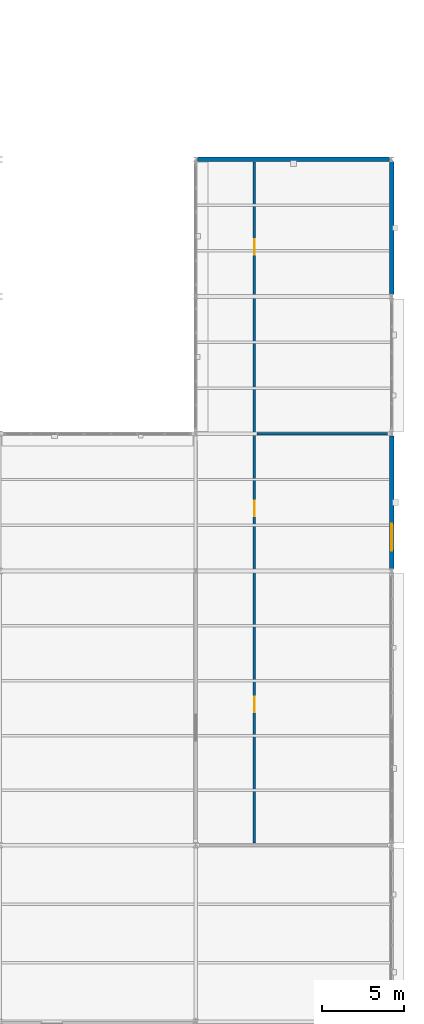
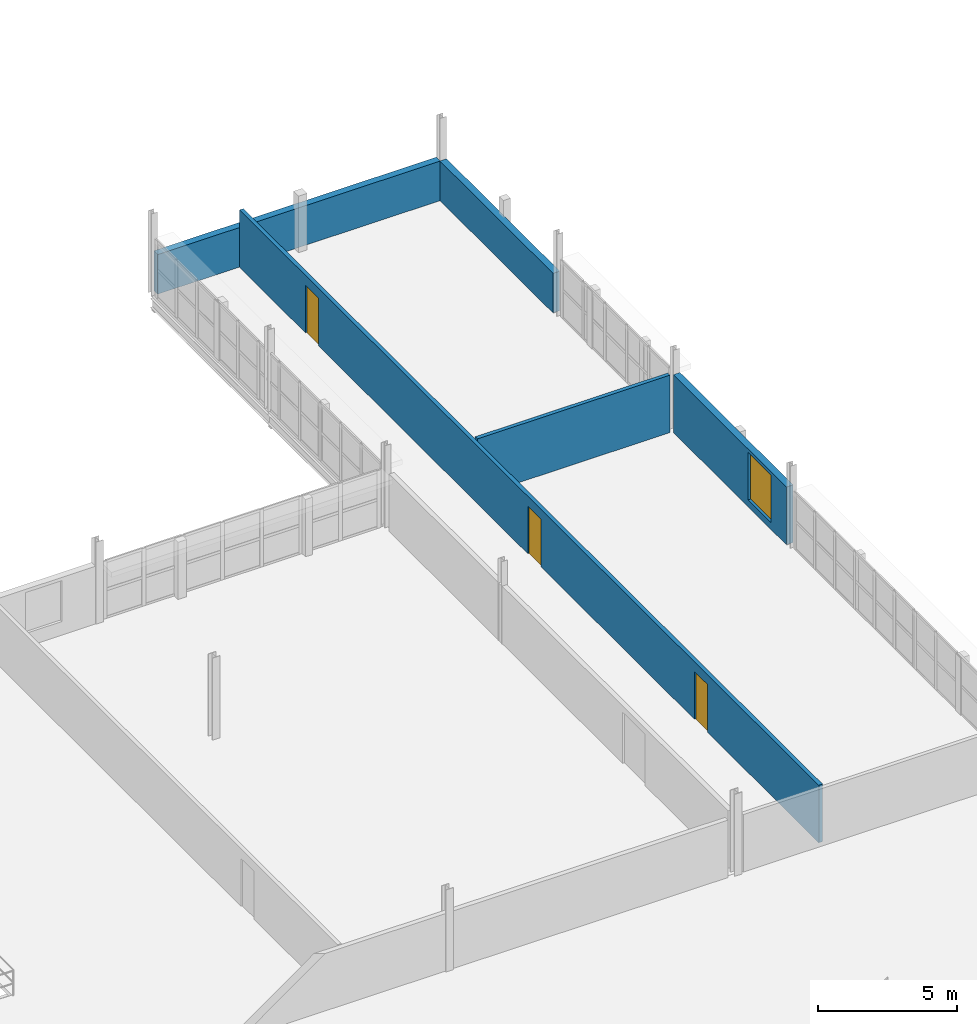
# One storey, part 67 of 79: 5 walls, 3 doors, 1 window, 4 openings.
"""IFC4 building model written with IfcOpenShell, lengths in metres."""

from ifc_helpers import new_model, si_unit, direction, frame, frame_2d, origin, place, context, subcontext, project, spatial, rectangle, extrude, material, layer, layer_set, type_object, element, fill, save


model = new_model("IFC4")

# Units and contexts
model_context = context("Model", 3, precision=1e-05, world=origin(), true_north=direction((0.0, 1.0)))
body_context = subcontext(model_context, "Body", "Model", "MODEL_VIEW")
ifc_project = project(units=[si_unit("LENGTHUNIT", "METRE"), si_unit("AREAUNIT", "SQUARE_METRE"), si_unit("VOLUMEUNIT", "CUBIC_METRE"), si_unit("PLANEANGLEUNIT", "RADIAN"), si_unit("MASSUNIT", "GRAM", prefix="KILO"), si_unit("THERMODYNAMICTEMPERATUREUNIT", "KELVIN"), si_unit("POWERUNIT", "WATT")], contexts=[model_context])

# Site, building, storey
site_placement = place(None, origin())
site = spatial("IfcSite", under=ifc_project, at=site_placement, CompositionType="ELEMENT")
building_placement = place(site_placement, origin())
building = spatial("IfcBuilding", under=site, at=building_placement, Name="Tembeka Court Mobility Hub", CompositionType="ELEMENT")
storey_placement = place(building_placement, frame((0.0, 0.0, 9.0)))
storey = spatial("IfcBuildingStorey", under=building, at=storey_placement, Name="L02", CompositionType="ELEMENT", Elevation=9.0)

# Wall, opening, window
ifc_material_1 = material(Name="Precast concrete C45/55", Category="concrete")
ifc_layer_1 = layer(ifc_material_1, 0.280029296875)
ifc_layer_set_1 = layer_set([ifc_layer_1], Name="Precast concrete C45/55")
wall_type_1 = type_object("IfcWallType", Name="WL-EW02", PredefinedType="STANDARD", material=ifc_layer_set_1)
wall_1_placement = place(storey_placement, frame((176.39990234375, 38.528076171875, 0.0), z_axis=(0.0, 0.0, 1.0), x_axis=(0.0, 1.0, 0.0)))
wall_1 = element("IfcWall", 1, at=wall_1_placement, inside=storey, type_object=wall_type_1, Name="External wall EW02 (EW-L02-0094)", PredefinedType="STANDARD", context=body_context, shape_type="SweptSolid", body=[
    extrude(rectangle(XDim=8.14404296875, YDim=0.280029296875, at=frame_2d((4.072021484375, 0.0))), origin(), (0.0, 0.0, 1.0), 2.534912109375),
])
opening_1_placement = place(wall_1_placement, frame((1.1201171875, 0.0, 0.294921875)))
opening_1 = element("IfcOpeningElement", 2, at=opening_1_placement, cuts=wall_1, Name="Opening WN22", PredefinedType="OPENING", context=body_context, shape_type="SweptSolid", body=[
    extrude(rectangle(XDim=1.64990234375, YDim=2.10009765625, at=frame_2d((0.824951171875, 1.050048828125))), frame((0.0, 0.14990234375, 0.0), z_axis=(0.0, -1.0, 0.0), x_axis=(1.0, 0.0, 0.0)), (0.0, 0.0, 1.0), 0.300048828125),
])
ifc_material_2 = material(Name="Laminated solar-control low-E glass", Category="glass")
window_type = type_object("IfcWindowType", Name="WN-W22", PartitioningType="SINGLE_PANEL", PredefinedType="WINDOW", material=ifc_material_2)
window_placement = place(opening_1_placement, origin())
window = element("IfcWindow", 3, at=window_placement, inside=storey, type_object=window_type, Name="Window WN22-0038", OverallHeight=2.10009765625, OverallWidth=1.64990234375, PartitioningType="SINGLE_PANEL", PredefinedType="WINDOW", context=body_context, shape_type="SweptSolid", body=[
    extrude(rectangle(XDim=1.64990234375, YDim=2.10009765625, at=frame_2d((0.824951171875, 1.050048828125))), frame((0.0, 0.030029296875, 0.0), z_axis=(0.0, -1.0, 0.0), x_axis=(1.0, 0.0, 0.0)), (0.0, 0.0, 1.0), 0.06005859375),
])
fill(opening_1, window)

# Walls
wall_2_placement = place(storey_placement, frame((176.39990234375, 55.327880859375, 0.0), z_axis=(0.0, 0.0, 1.0), x_axis=(0.0, 1.0, 0.0)))
element("IfcWall", 4, at=wall_2_placement, inside=storey, type_object=wall_type_1, Name="External wall EW02 (EW-L02-0095)", PredefinedType="STANDARD", context=body_context, shape_type="SweptSolid", body=[
    extrude(rectangle(XDim=8.14404296875, YDim=0.280029296875, at=frame_2d((4.072021484375, 0.0))), origin(), (0.0, 0.0, 1.0), 1.739990234375),
])
wall_3_placement = place(storey_placement, frame((164.52587890625, 63.60009765625, 0.0), z_axis=(0.0, 0.0, 1.0), x_axis=(1.0, 0.0, 0.0)))
element("IfcWall", 5, at=wall_3_placement, inside=storey, type_object=wall_type_1, Name="External wall EW02 (EW-L02-0096)", PredefinedType="STANDARD", context=body_context, shape_type="SweptSolid", body=[
    extrude(rectangle(XDim=11.748046875, YDim=0.280029296875, at=frame_2d((5.8740234375, 0.0))), origin(), (0.0, 0.0, 1.0), 1.739990234375),
])

# Wall, openings, doors
ifc_material_3 = material(Name="Acoustic metal-stud gypsum partition", Category="masonry")
ifc_layer_2 = layer(ifc_material_3, 0.159912109375)
ifc_layer_set_2 = layer_set([ifc_layer_2], Name="Acoustic metal-stud gypsum partition")
wall_type_2 = type_object("IfcWallType", Name="WL-IW04", PredefinedType="PARTITIONING", material=ifc_layer_set_2)
wall_4_placement = place(storey_placement, frame((168.0, 21.75, 0.0), z_axis=(0.0, 0.0, 1.0), x_axis=(0.0, 1.0, 0.0)))
wall_4 = element("IfcWall", 6, at=wall_4_placement, inside=storey, type_object=wall_type_2, Name="Wall IW04 (IW-L02-0462)", PredefinedType="PARTITIONING", context=body_context, shape_type="SweptSolid", body=[
    extrude(rectangle(XDim=41.699951171875, YDim=0.159912109375, at=frame_2d((20.85009765625, 0.0))), origin(), (0.0, 0.0, 1.0), 2.52490234375),
])
opening_2_placement = place(wall_4_placement, frame((8.0, 0.0, 0.0)))
opening_2 = element("IfcOpeningElement", 7, at=opening_2_placement, cuts=wall_4, Name="Opening ID01", PredefinedType="OPENING", context=body_context, shape_type="SweptSolid", body=[
    extrude(rectangle(XDim=0.949951171875, YDim=2.10009765625, at=frame_2d((0.47509765625, 1.050048828125))), frame((0.0, 0.08984375, 0.0), z_axis=(0.0, -1.0, 0.0), x_axis=(1.0, 0.0, 0.0)), (0.0, 0.0, 1.0), 0.179931640625),
])
opening_3_placement = place(wall_4_placement, frame((20.0, 0.0, 0.0)))
opening_3 = element("IfcOpeningElement", 8, at=opening_3_placement, cuts=wall_4, Name="Opening ID01", PredefinedType="OPENING", context=body_context, shape_type="SweptSolid", body=[
    extrude(rectangle(XDim=0.949951171875, YDim=2.10009765625, at=frame_2d((0.47509765625, 1.050048828125))), frame((0.0, 0.08984375, 0.0), z_axis=(0.0, -1.0, 0.0), x_axis=(1.0, 0.0, 0.0)), (0.0, 0.0, 1.0), 0.179931640625),
])
opening_4_placement = place(wall_4_placement, frame((36.0, 0.0, 0.0)))
opening_4 = element("IfcOpeningElement", 9, at=opening_4_placement, cuts=wall_4, Name="Opening ID01", PredefinedType="OPENING", context=body_context, shape_type="SweptSolid", body=[
    extrude(rectangle(XDim=0.949951171875, YDim=2.10009765625, at=frame_2d((0.47509765625, 1.050048828125))), frame((0.0, 0.08984375, 0.0), z_axis=(0.0, -1.0, 0.0), x_axis=(1.0, 0.0, 0.0)), (0.0, 0.0, 1.0), 0.179931640625),
])
ifc_material_4 = material(Name="Powder-coated aluminium glazed doorset", Category="aluminium")
door_type = type_object("IfcDoorType", Name="DR-ID01", OperationType="NOTDEFINED", PredefinedType="DOOR", material=ifc_material_4)
door_1_placement = place(opening_2_placement, origin())
door_1 = element("IfcDoor", 10, at=door_1_placement, inside=storey, type_object=door_type, Name="Door ID01-0233", OperationType="SINGLE_SWING_LEFT", OverallHeight=2.10009765625, OverallWidth=0.949951171875, PredefinedType="DOOR", context=body_context, shape_type="SweptSolid", body=[
    extrude(rectangle(XDim=0.949951171875, YDim=2.10009765625, at=frame_2d((0.47509765625, 1.050048828125))), frame((0.0, 0.02490234375, 0.0), z_axis=(0.0, -1.0, 0.0), x_axis=(1.0, 0.0, 0.0)), (0.0, 0.0, 1.0), 0.050048828125),
])
fill(opening_2, door_1)
door_2_placement = place(opening_3_placement, origin())
door_2 = element("IfcDoor", 11, at=door_2_placement, inside=storey, type_object=door_type, Name="Door ID01-0234", OperationType="SINGLE_SWING_RIGHT", OverallHeight=2.10009765625, OverallWidth=0.949951171875, PredefinedType="DOOR", context=body_context, shape_type="SweptSolid", body=[
    extrude(rectangle(XDim=0.949951171875, YDim=2.10009765625, at=frame_2d((0.47509765625, 1.050048828125))), frame((0.0, 0.02490234375, 0.0), z_axis=(0.0, -1.0, 0.0), x_axis=(1.0, 0.0, 0.0)), (0.0, 0.0, 1.0), 0.050048828125),
])
fill(opening_3, door_2)
door_3_placement = place(opening_4_placement, origin())
door_3 = element("IfcDoor", 12, at=door_3_placement, inside=storey, type_object=door_type, Name="Door ID01-0235", OperationType="SINGLE_SWING_LEFT", OverallHeight=2.10009765625, OverallWidth=0.949951171875, PredefinedType="DOOR", context=body_context, shape_type="SweptSolid", body=[
    extrude(rectangle(XDim=0.949951171875, YDim=2.10009765625, at=frame_2d((0.47509765625, 1.050048828125))), frame((0.0, 0.02490234375, 0.0), z_axis=(0.0, -1.0, 0.0), x_axis=(1.0, 0.0, 0.0)), (0.0, 0.0, 1.0), 0.050048828125),
])
fill(opening_4, door_3)

# Wall
wall_5_placement = place(storey_placement, frame((168.14990234375, 46.800048828125, 0.0), z_axis=(0.0, 0.0, 1.0), x_axis=(1.0, 0.0, 0.0)))
element("IfcWall", 13, at=wall_5_placement, inside=storey, type_object=wall_type_2, Name="Wall IW04 (IW-L02-0464)", PredefinedType="PARTITIONING", context=body_context, shape_type="SweptSolid", body=[
    extrude(rectangle(XDim=8.0, YDim=0.159912109375, at=frame_2d((4.0, 0.0))), origin(), (0.0, 0.0, 1.0), 2.52490234375),
])

save(model, "model.ifc")
